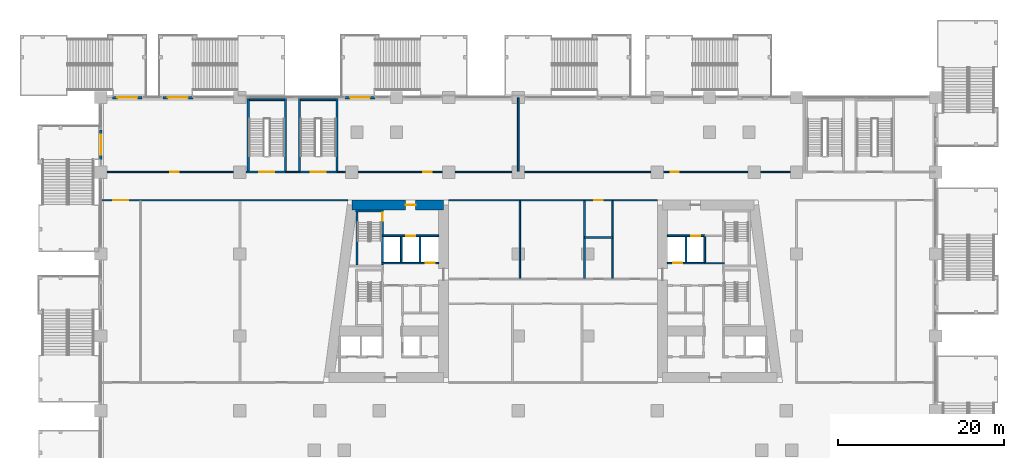
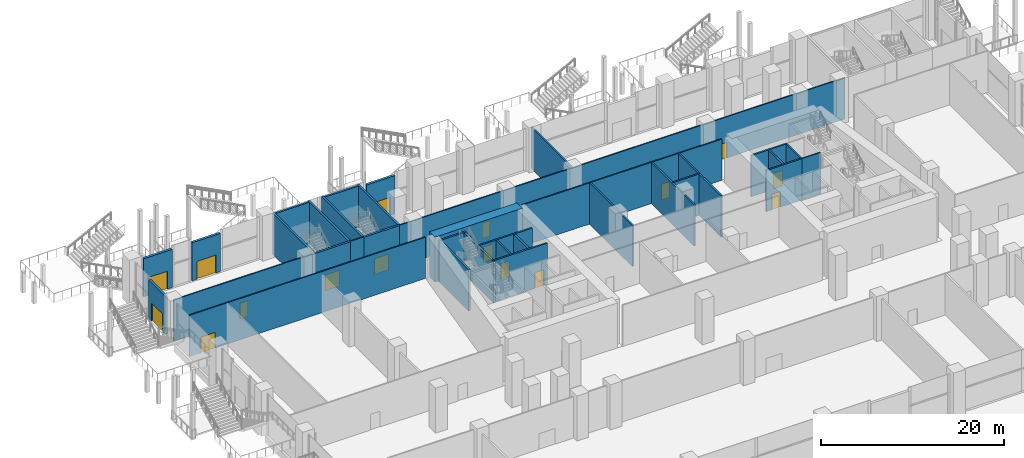
# One storey, part 25 of 47: 35 walls, 17 doors, 17 openings.
"""IFC4 building model written with IfcOpenShell, lengths in metres."""

from ifc_helpers import new_model, si_unit, direction, frame, frame_2d, origin, place, context, subcontext, project, spatial, rectangle, extrude, material, layer, layer_set, type_object, element, fill, save


model = new_model("IFC4")

# Units and contexts
model_context = context("Model", 3, precision=1e-05, world=origin(), true_north=direction((0.0, 1.0)))
body_context = subcontext(model_context, "Body", "Model", "MODEL_VIEW")
ifc_project = project(units=[si_unit("LENGTHUNIT", "METRE"), si_unit("AREAUNIT", "SQUARE_METRE"), si_unit("VOLUMEUNIT", "CUBIC_METRE"), si_unit("PLANEANGLEUNIT", "RADIAN"), si_unit("MASSUNIT", "GRAM", prefix="KILO")], contexts=[model_context])

# Site, building, storey
site_placement = place(None, origin())
site = spatial("IfcSite", under=ifc_project, at=site_placement, CompositionType="ELEMENT")
building_placement = place(site_placement, origin())
building = spatial("IfcBuilding", under=site, at=building_placement, Name="Candeia Pilgrim Tower and Theatre", CompositionType="ELEMENT")
storey_placement = place(building_placement, frame((0.0, 0.0, 23.0)))
storey = spatial("IfcBuildingStorey", under=building, at=storey_placement, Name="L03", CompositionType="ELEMENT", Elevation=23.0)

# Wall, opening, door
ifc_material_1 = material(Name="Concrete C80/95", Category="concrete")
ifc_layer_1 = layer(ifc_material_1, 1.199951171875)
ifc_layer_set_1 = layer_set([ifc_layer_1], Name="Core wall 1200 C80/95")
wall_type_1 = type_object("IfcWallType", Name="Core wall 1200 C80/95", PredefinedType="SHEAR", material=ifc_layer_set_1)
wall_1_placement = place(storey_placement, frame((89.155517578125, 131.800048828125, 0.0), z_axis=(0.0, 0.0, 1.0), x_axis=(1.0, 0.0, 0.0)))
wall_1 = element("IfcWall", 1, at=wall_1_placement, inside=storey, type_object=wall_type_1, Name="Core wall W1", PredefinedType="SHEAR", context=body_context, shape_type="SweptSolid", body=[
    extrude(rectangle(XDim=11.04443359375, YDim=1.199951171875, at=frame_2d((5.522216796875, 0.0))), origin(), (0.0, 0.0, 1.0), 6.0),
])
opening_1_placement = place(wall_1_placement, frame((6.4580078125, 0.0, 0.0)))
opening_1 = element("IfcOpeningElement", 2, at=opening_1_placement, cuts=wall_1, Name="Opening L03-D047", PredefinedType="OPENING", context=body_context, shape_type="SweptSolid", body=[
    extrude(rectangle(XDim=1.199951171875, YDim=2.10009765625, at=frame_2d((0.60009765625, 1.050048828125))), frame((0.0, 0.60986328125, 0.0), z_axis=(0.0, -1.0, 0.0), x_axis=(1.0, 0.0, 0.0)), (0.0, 0.0, 1.0), 1.219970703125),
])
ifc_material_2 = material(Name="Steel fire door set", Category="steel")
door_type_1 = type_object("IfcDoorType", Name="D-1200-FD60", OperationType="NOTDEFINED", PredefinedType="DOOR", material=ifc_material_2)
door_1_placement = place(opening_1_placement, origin())
door_1 = element("IfcDoor", 3, at=door_1_placement, inside=storey, type_object=door_type_1, Name="Door L03-D047", OperationType="SINGLE_SWING_RIGHT", OverallHeight=2.10009765625, OverallWidth=1.199951171875, PredefinedType="DOOR", context=body_context, shape_type="SweptSolid", body=[
    extrude(rectangle(XDim=1.199951171875, YDim=2.10009765625, at=frame_2d((0.60009765625, 1.050048828125))), frame((0.0, 0.02490234375, 0.0), z_axis=(0.0, -1.0, 0.0), x_axis=(1.0, 0.0, 0.0)), (0.0, 0.0, 1.0), 0.050048828125),
])
fill(opening_1, door_1)

ifc_material_3 = material(Name="Ceramic block masonry", Category="masonry")
ifc_layer_2 = layer(ifc_material_3, 0.300048828125)
ifc_layer_set_2 = layer_set([ifc_layer_2], Name="EW2 entrance infill wall 300")
wall_type_2 = type_object("IfcWallType", Name="EW2 entrance infill wall 300", PredefinedType="SOLIDWALL", material=ifc_layer_set_2)
wall_2_placement = place(storey_placement, frame((58.800048828125, 137.300048828125, 0.0), z_axis=(0.0, 0.0, 1.0), x_axis=(0.0, 1.0, 0.0)))
wall_2 = element("IfcWall", 4, at=wall_2_placement, inside=storey, type_object=wall_type_2, Name="Entrance wall L03", PredefinedType="SOLIDWALL", context=body_context, shape_type="SweptSolid", body=[
    extrude(rectangle(XDim=3.599853515625, YDim=0.300048828125, at=frame_2d((1.7998046875, 0.0))), origin(), (0.0, 0.0, 1.0), 5.10009765625),
])
opening_2_placement = place(wall_2_placement, frame((0.60009765625, 0.0, 0.0)))
opening_2 = element("IfcOpeningElement", 5, at=opening_2_placement, cuts=wall_2, Name="Opening L03-ED062", PredefinedType="OPENING", context=body_context, shape_type="SweptSolid", body=[
    extrude(rectangle(XDim=2.39990234375, YDim=2.39990234375, at=frame_2d((1.199951171875, 1.199951171875))), frame((0.0, 0.16015625, 0.0), z_axis=(0.0, -1.0, 0.0), x_axis=(1.0, 0.0, 0.0)), (0.0, 0.0, 1.0), 0.320068359375),
])
ifc_material_4 = material(Name="Aluminium framed glazed door", Category="aluminium")
door_type_2 = type_object("IfcDoorType", Name="ED entrance double door 2400x2400", OperationType="DOUBLE_DOOR_DOUBLE_SWING", PredefinedType="DOOR", material=ifc_material_4)
door_2_placement = place(opening_2_placement, origin())
door_2 = element("IfcDoor", 6, at=door_2_placement, inside=storey, type_object=door_type_2, Name="Entrance door L03-ED062", OperationType="DOUBLE_DOOR_DOUBLE_SWING", OverallHeight=2.39990234375, OverallWidth=2.39990234375, PredefinedType="DOOR", context=body_context, shape_type="SweptSolid", body=[
    extrude(rectangle(XDim=2.39990234375, YDim=2.39990234375, at=frame_2d((1.199951171875, 1.199951171875))), frame((0.0, 0.02490234375, 0.0), z_axis=(0.0, -1.0, 0.0), x_axis=(1.0, 0.0, 0.0)), (0.0, 0.0, 1.0), 0.050048828125),
])
fill(opening_2, door_2)

wall_3_placement = place(storey_placement, frame((60.199951171875, 144.800048828125, 0.0), z_axis=(0.0, 0.0, 1.0), x_axis=(1.0, 0.0, 0.0)))
wall_3 = element("IfcWall", 7, at=wall_3_placement, inside=storey, type_object=wall_type_2, Name="Entrance wall L03", PredefinedType="SOLIDWALL", context=body_context, shape_type="SweptSolid", body=[
    extrude(rectangle(XDim=3.60009765625, YDim=0.300048828125, at=frame_2d((1.800048828125, 0.0))), origin(), (0.0, 0.0, 1.0), 5.10009765625),
])
opening_3_placement = place(wall_3_placement, frame((0.60009765625, 0.0, 0.0)))
opening_3 = element("IfcOpeningElement", 8, at=opening_3_placement, cuts=wall_3, Name="Opening L03-ED063", PredefinedType="OPENING", context=body_context, shape_type="SweptSolid", body=[
    extrude(rectangle(XDim=2.39990234375, YDim=2.39990234375, at=frame_2d((1.199951171875, 1.199951171875))), frame((0.0, 0.16015625, 0.0), z_axis=(0.0, -1.0, 0.0), x_axis=(1.0, 0.0, 0.0)), (0.0, 0.0, 1.0), 0.320068359375),
])
door_3_placement = place(opening_3_placement, origin())
door_3 = element("IfcDoor", 9, at=door_3_placement, inside=storey, type_object=door_type_2, Name="Entrance door L03-ED063", OperationType="DOUBLE_DOOR_DOUBLE_SWING", OverallHeight=2.39990234375, OverallWidth=2.39990234375, PredefinedType="DOOR", context=body_context, shape_type="SweptSolid", body=[
    extrude(rectangle(XDim=2.39990234375, YDim=2.39990234375, at=frame_2d((1.199951171875, 1.199951171875))), frame((0.0, 0.02490234375, 0.0), z_axis=(0.0, -1.0, 0.0), x_axis=(1.0, 0.0, 0.0)), (0.0, 0.0, 1.0), 0.050048828125),
])
fill(opening_3, door_3)

wall_4_placement = place(storey_placement, frame((66.300048828125, 144.800048828125, 0.0), z_axis=(0.0, 0.0, 1.0), x_axis=(1.0, 0.0, 0.0)))
wall_4 = element("IfcWall", 10, at=wall_4_placement, inside=storey, type_object=wall_type_2, Name="Entrance wall L03", PredefinedType="SOLIDWALL", context=body_context, shape_type="SweptSolid", body=[
    extrude(rectangle(XDim=3.599853515625, YDim=0.300048828125, at=frame_2d((1.7998046875, 0.0))), origin(), (0.0, 0.0, 1.0), 5.10009765625),
])
opening_4_placement = place(wall_4_placement, frame((0.60009765625, 0.0, 0.0)))
opening_4 = element("IfcOpeningElement", 11, at=opening_4_placement, cuts=wall_4, Name="Opening L03-ED064", PredefinedType="OPENING", context=body_context, shape_type="SweptSolid", body=[
    extrude(rectangle(XDim=2.39990234375, YDim=2.39990234375, at=frame_2d((1.199951171875, 1.199951171875))), frame((0.0, 0.16015625, 0.0), z_axis=(0.0, -1.0, 0.0), x_axis=(1.0, 0.0, 0.0)), (0.0, 0.0, 1.0), 0.320068359375),
])
door_4_placement = place(opening_4_placement, origin())
door_4 = element("IfcDoor", 12, at=door_4_placement, inside=storey, type_object=door_type_2, Name="Entrance door L03-ED064", OperationType="DOUBLE_DOOR_DOUBLE_SWING", OverallHeight=2.39990234375, OverallWidth=2.39990234375, PredefinedType="DOOR", context=body_context, shape_type="SweptSolid", body=[
    extrude(rectangle(XDim=2.39990234375, YDim=2.39990234375, at=frame_2d((1.199951171875, 1.199951171875))), frame((0.0, 0.02490234375, 0.0), z_axis=(0.0, -1.0, 0.0), x_axis=(1.0, 0.0, 0.0)), (0.0, 0.0, 1.0), 0.050048828125),
])
fill(opening_4, door_4)

wall_5_placement = place(storey_placement, frame((88.300048828125, 144.800048828125, 0.0), z_axis=(0.0, 0.0, 1.0), x_axis=(1.0, 0.0, 0.0)))
wall_5 = element("IfcWall", 13, at=wall_5_placement, inside=storey, type_object=wall_type_2, Name="Entrance wall L03", PredefinedType="SOLIDWALL", context=body_context, shape_type="SweptSolid", body=[
    extrude(rectangle(XDim=3.599853515625, YDim=0.300048828125, at=frame_2d((1.7998046875, 0.0))), origin(), (0.0, 0.0, 1.0), 5.10009765625),
])
opening_5_placement = place(wall_5_placement, frame((0.60009765625, 0.0, 0.0)))
opening_5 = element("IfcOpeningElement", 14, at=opening_5_placement, cuts=wall_5, Name="Opening L03-ED065", PredefinedType="OPENING", context=body_context, shape_type="SweptSolid", body=[
    extrude(rectangle(XDim=2.39990234375, YDim=2.39990234375, at=frame_2d((1.199951171875, 1.199951171875))), frame((0.0, 0.16015625, 0.0), z_axis=(0.0, -1.0, 0.0), x_axis=(1.0, 0.0, 0.0)), (0.0, 0.0, 1.0), 0.320068359375),
])
door_5_placement = place(opening_5_placement, origin())
door_5 = element("IfcDoor", 15, at=door_5_placement, inside=storey, type_object=door_type_2, Name="Entrance door L03-ED065", OperationType="DOUBLE_DOOR_DOUBLE_SWING", OverallHeight=2.39990234375, OverallWidth=2.39990234375, PredefinedType="DOOR", context=body_context, shape_type="SweptSolid", body=[
    extrude(rectangle(XDim=2.39990234375, YDim=2.39990234375, at=frame_2d((1.199951171875, 1.199951171875))), frame((0.0, 0.02490234375, 0.0), z_axis=(0.0, -1.0, 0.0), x_axis=(1.0, 0.0, 0.0)), (0.0, 0.0, 1.0), 0.050048828125),
])
fill(opening_5, door_5)

# Wall
ifc_material_5 = material(Name="Gypsum board partition on steel studs", Category="steel")
ifc_layer_3 = layer(ifc_material_5, 0.14990234375)
ifc_layer_set_3 = layer_set([ifc_layer_3], Name="PW-150 lobby wall")
wall_type_3 = type_object("IfcWallType", Name="PW-150 lobby wall", PredefinedType="PARTITIONING", material=ifc_layer_set_3)
wall_6_placement = place(storey_placement, frame((131.71533203125, 124.800048828125, 0.0), z_axis=(0.0, 0.0, 1.0), x_axis=(1.0, 0.0, 0.0)))
element("IfcWall", 16, at=wall_6_placement, inside=storey, type_object=wall_type_3, Name="Lobby wall L03-025", PredefinedType="PARTITIONING", context=body_context, shape_type="SweptSolid", body=[
    extrude(rectangle(XDim=2.382568359375, YDim=0.14990234375, at=frame_2d((1.19140625, 0.0))), origin(), (0.0, 0.0, 1.0), 5.5),
])

# Wall, opening, door
ifc_layer_4 = layer(ifc_material_5, 0.14990234375)
ifc_layer_set_4 = layer_set([ifc_layer_4], Name="PW-150 unit wall")
wall_type_4 = type_object("IfcWallType", Name="PW-150 unit wall", PredefinedType="PARTITIONING", material=ifc_layer_set_4)
wall_7_placement = place(storey_placement, frame((58.85009765625, 132.39990234375, 0.0), z_axis=(0.0, 0.0, 1.0), x_axis=(1.0, 0.0, 0.0)))
wall_7 = element("IfcWall", 17, at=wall_7_placement, inside=storey, type_object=wall_type_4, Name="Unit wall L03-032", PredefinedType="PARTITIONING", context=body_context, shape_type="SweptSolid", body=[
    extrude(rectangle(XDim=29.781005859375, YDim=0.14990234375, at=frame_2d((14.890625, 0.0))), origin(), (0.0, 0.0, 1.0), 5.5),
])
opening_6_placement = place(wall_7_placement, frame((1.449951171875, 0.0, 0.0)))
opening_6 = element("IfcOpeningElement", 18, at=opening_6_placement, cuts=wall_7, Name="Opening L03-D027", PredefinedType="OPENING", context=body_context, shape_type="SweptSolid", body=[
    extrude(rectangle(XDim=1.800048828125, YDim=2.10009765625, at=frame_2d((0.89990234375, 1.050048828125))), frame((0.0, 0.0849609375, 0.0), z_axis=(0.0, -1.0, 0.0), x_axis=(1.0, 0.0, 0.0)), (0.0, 0.0, 1.0), 0.169921875),
])
door_type_3 = type_object("IfcDoorType", Name="D-1800-FD60", OperationType="NOTDEFINED", PredefinedType="DOOR", material=ifc_material_2)
door_6_placement = place(opening_6_placement, origin())
door_6 = element("IfcDoor", 19, at=door_6_placement, inside=storey, type_object=door_type_3, Name="Door L03-D027", OperationType="SINGLE_SWING_RIGHT", OverallHeight=2.10009765625, OverallWidth=1.800048828125, PredefinedType="DOOR", context=body_context, shape_type="SweptSolid", body=[
    extrude(rectangle(XDim=1.800048828125, YDim=2.10009765625, at=frame_2d((0.89990234375, 1.050048828125))), frame((0.0, 0.02490234375, 0.0), z_axis=(0.0, -1.0, 0.0), x_axis=(1.0, 0.0, 0.0)), (0.0, 0.0, 1.0), 0.050048828125),
])
fill(opening_6, door_6)

wall_8_placement = place(storey_placement, frame((100.800048828125, 132.39990234375, 0.0), z_axis=(0.0, 0.0, 1.0), x_axis=(1.0, 0.0, 0.0)))
wall_8 = element("IfcWall", 20, at=wall_8_placement, inside=storey, type_object=wall_type_4, Name="Unit wall L03-033", PredefinedType="PARTITIONING", context=body_context, shape_type="SweptSolid", body=[
    extrude(rectangle(XDim=25.199951171875, YDim=0.14990234375, at=frame_2d((12.60009765625, 0.0))), origin(), (0.0, 0.0, 1.0), 5.5),
])
opening_7_placement = place(wall_8_placement, frame((17.60009765625, 0.0, 0.0)))
opening_7 = element("IfcOpeningElement", 21, at=opening_7_placement, cuts=wall_8, Name="Opening L03-D018", PredefinedType="OPENING", context=body_context, shape_type="SweptSolid", body=[
    extrude(rectangle(XDim=1.0, YDim=2.10009765625, at=frame_2d((0.5, 1.050048828125))), frame((0.0, 0.0849609375, 0.0), z_axis=(0.0, -1.0, 0.0), x_axis=(1.0, 0.0, 0.0)), (0.0, 0.0, 1.0), 0.169921875),
])
door_type_4 = type_object("IfcDoorType", Name="D-1000-FD30S", OperationType="NOTDEFINED", PredefinedType="DOOR", material=ifc_material_2)
door_7_placement = place(opening_7_placement, origin())
door_7 = element("IfcDoor", 22, at=door_7_placement, inside=storey, type_object=door_type_4, Name="Door L03-D018", OperationType="SINGLE_SWING_LEFT", OverallHeight=2.10009765625, OverallWidth=1.0, PredefinedType="DOOR", context=body_context, shape_type="SweptSolid", body=[
    extrude(rectangle(XDim=1.0, YDim=2.10009765625, at=frame_2d((0.5, 1.050048828125))), frame((0.0, 0.02490234375, 0.0), z_axis=(0.0, -1.0, 0.0), x_axis=(1.0, 0.0, 0.0)), (0.0, 0.0, 1.0), 0.050048828125),
])
fill(opening_7, door_7)

wall_9_placement = place(storey_placement, frame((58.85009765625, 135.800048828125, 0.0), z_axis=(0.0, 0.0, 1.0), x_axis=(1.0, 0.0, 0.0)))
wall_9 = element("IfcWall", 23, at=wall_9_placement, inside=storey, type_object=wall_type_4, Name="Unit wall L03-039", PredefinedType="PARTITIONING", context=body_context, shape_type="SweptSolid", body=[
    extrude(rectangle(XDim=17.469970703125, YDim=0.14990234375, at=frame_2d((8.73486328125, 0.0))), origin(), (0.0, 0.0, 1.0), 5.5),
])
opening_8_placement = place(wall_9_placement, frame((8.35009765625, 0.0, 0.0)))
opening_8 = element("IfcOpeningElement", 24, at=opening_8_placement, cuts=wall_9, Name="Opening L03-D023", PredefinedType="OPENING", context=body_context, shape_type="SweptSolid", body=[
    extrude(rectangle(XDim=1.0, YDim=2.10009765625, at=frame_2d((0.5, 1.050048828125))), frame((0.0, 0.0849609375, 0.0), z_axis=(0.0, -1.0, 0.0), x_axis=(1.0, 0.0, 0.0)), (0.0, 0.0, 1.0), 0.169921875),
])
door_8_placement = place(opening_8_placement, origin())
door_8 = element("IfcDoor", 25, at=door_8_placement, inside=storey, type_object=door_type_4, Name="Door L03-D023", OperationType="SINGLE_SWING_RIGHT", OverallHeight=2.10009765625, OverallWidth=1.0, PredefinedType="DOOR", context=body_context, shape_type="SweptSolid", body=[
    extrude(rectangle(XDim=1.0, YDim=2.10009765625, at=frame_2d((0.5, 1.050048828125))), frame((0.0, 0.02490234375, 0.0), z_axis=(0.0, -1.0, 0.0), x_axis=(1.0, 0.0, 0.0)), (0.0, 0.0, 1.0), 0.050048828125),
])
fill(opening_8, door_8)

# Wall
wall_10_placement = place(storey_placement, frame((81.10009765625, 135.800048828125, 0.0), z_axis=(0.0, 0.0, 1.0), x_axis=(1.0, 0.0, 0.0)))
element("IfcWall", 26, at=wall_10_placement, inside=storey, type_object=wall_type_4, Name="Unit wall L03-040", PredefinedType="PARTITIONING", context=body_context, shape_type="SweptSolid", body=[
    extrude(rectangle(XDim=1.699951171875, YDim=0.14990234375, at=frame_2d((0.85009765625, 0.0))), origin(), (0.0, 0.0, 1.0), 5.5),
])

# Wall, openings, doors
wall_11_placement = place(storey_placement, frame((87.300048828125, 135.800048828125, 0.0), z_axis=(0.0, 0.0, 1.0), x_axis=(1.0, 0.0, 0.0)))
wall_11 = element("IfcWall", 27, at=wall_11_placement, inside=storey, type_object=wall_type_4, Name="Unit wall L03-041", PredefinedType="PARTITIONING", context=body_context, shape_type="SweptSolid", body=[
    extrude(rectangle(XDim=56.219970703125, YDim=0.14990234375, at=frame_2d((28.10986328125, 0.0))), origin(), (0.0, 0.0, 1.0), 5.5),
])
opening_9_placement = place(wall_11_placement, frame((10.449951171875, 0.0, 0.0)))
opening_9 = element("IfcOpeningElement", 28, at=opening_9_placement, cuts=wall_11, Name="Opening L03-D024", PredefinedType="OPENING", context=body_context, shape_type="SweptSolid", body=[
    extrude(rectangle(XDim=1.0, YDim=2.10009765625, at=frame_2d((0.5, 1.050048828125))), frame((0.0, 0.0849609375, 0.0), z_axis=(0.0, -1.0, 0.0), x_axis=(1.0, 0.0, 0.0)), (0.0, 0.0, 1.0), 0.169921875),
])
opening_10_placement = place(wall_11_placement, frame((40.2900390625, 0.0, 0.0)))
opening_10 = element("IfcOpeningElement", 29, at=opening_10_placement, cuts=wall_11, Name="Opening L03-D025", PredefinedType="OPENING", context=body_context, shape_type="SweptSolid", body=[
    extrude(rectangle(XDim=1.0, YDim=2.10009765625, at=frame_2d((0.5, 1.050048828125))), frame((0.0, 0.0849609375, 0.0), z_axis=(0.0, -1.0, 0.0), x_axis=(1.0, 0.0, 0.0)), (0.0, 0.0, 1.0), 0.169921875),
])
door_9_placement = place(opening_9_placement, origin())
door_9 = element("IfcDoor", 30, at=door_9_placement, inside=storey, type_object=door_type_4, Name="Door L03-D024", OperationType="SINGLE_SWING_LEFT", OverallHeight=2.10009765625, OverallWidth=1.0, PredefinedType="DOOR", context=body_context, shape_type="SweptSolid", body=[
    extrude(rectangle(XDim=1.0, YDim=2.10009765625, at=frame_2d((0.5, 1.050048828125))), frame((0.0, 0.02490234375, 0.0), z_axis=(0.0, -1.0, 0.0), x_axis=(1.0, 0.0, 0.0)), (0.0, 0.0, 1.0), 0.050048828125),
])
fill(opening_9, door_9)
door_10_placement = place(opening_10_placement, origin())
door_10 = element("IfcDoor", 31, at=door_10_placement, inside=storey, type_object=door_type_4, Name="Door L03-D025", OperationType="SINGLE_SWING_RIGHT", OverallHeight=2.10009765625, OverallWidth=1.0, PredefinedType="DOOR", context=body_context, shape_type="SweptSolid", body=[
    extrude(rectangle(XDim=1.0, YDim=2.10009765625, at=frame_2d((0.5, 1.050048828125))), frame((0.0, 0.02490234375, 0.0), z_axis=(0.0, -1.0, 0.0), x_axis=(1.0, 0.0, 0.0)), (0.0, 0.0, 1.0), 0.050048828125),
])
fill(opening_10, door_10)

# Walls
ifc_layer_5 = layer(ifc_material_5, 0.199951171875)
ifc_layer_set_5 = layer_set([ifc_layer_5], Name="PW-200 party wall")
wall_type_5 = type_object("IfcWallType", Name="PW-200 party wall", PredefinedType="PARTITIONING", material=ifc_layer_set_5)
wall_12_placement = place(storey_placement, frame((117.199951171875, 127.89990234375, 0.0), z_axis=(0.0, 0.0, 1.0), x_axis=(1.0, 0.0, 0.0)))
element("IfcWall", 32, at=wall_12_placement, inside=storey, type_object=wall_type_5, Name="Party wall L03-026", PredefinedType="PARTITIONING", context=body_context, shape_type="SweptSolid", body=[
    extrude(rectangle(XDim=3.400146484375, YDim=0.199951171875, at=frame_2d((1.7001953125, 0.0))), origin(), (0.0, 0.0, 1.0), 5.5),
])
wall_13_placement = place(storey_placement, frame((109.199951171875, 135.875, 0.0), z_axis=(0.0, 0.0, 1.0), x_axis=(0.0, 1.0, 0.0)))
element("IfcWall", 33, at=wall_13_placement, inside=storey, type_object=wall_type_5, Name="Party wall L03-069", PredefinedType="PARTITIONING", context=body_context, shape_type="SweptSolid", body=[
    extrude(rectangle(XDim=8.875, YDim=0.199951171875, at=frame_2d((4.4375, 0.0))), origin(), (0.0, 0.0, 1.0), 5.5),
])
for number, where, z_axis, x_axis, name in (
    (34, (109.39990234375, 122.97509765625, 0.0), (0.0, 0.0, 1.0), (0.0, 1.0, 0.0), "Party wall L03-070"),
    (35, (117.199951171875, 122.97509765625, 0.0), (0.0, 0.0, 1.0), (0.0, 1.0, 0.0), "Party wall L03-072"),
    (36, (120.60009765625, 122.97509765625, 0.0), (0.0, 0.0, 1.0), (0.0, 1.0, 0.0), "Party wall L03-073"),
):
    element("IfcWall", number, at=place(storey_placement, frame(where, z_axis=z_axis, x_axis=x_axis)), inside=storey, type_object=wall_type_5, Name=name, PredefinedType="PARTITIONING", context=body_context, shape_type="SweptSolid", body=[
        extrude(rectangle(XDim=9.349853515625, YDim=0.199951171875, at=frame_2d((4.6748046875, 0.0))), origin(), (0.0, 0.0, 1.0), 5.5),
    ])

# Wall, opening, door
ifc_material_6 = material(Name="Concrete C40/50", Category="concrete")
ifc_layer_6 = layer(ifc_material_6, 0.199951171875)
ifc_layer_set_6 = layer_set([ifc_layer_6], Name="SW-200 shaft wall")
wall_type_6 = type_object("IfcWallType", Name="SW-200 shaft wall", PredefinedType="PARTITIONING", material=ifc_layer_set_6)
wall_14_placement = place(storey_placement, frame((92.701904296875, 124.800048828125, 0.0), z_axis=(0.0, 0.0, 1.0), x_axis=(1.0, 0.0, 0.0)))
wall_14 = element("IfcWall", 37, at=wall_14_placement, inside=storey, type_object=wall_type_6, Name="Shaft wall L03-023", PredefinedType="PARTITIONING", context=body_context, shape_type="SweptSolid", body=[
    extrude(rectangle(XDim=6.898193359375, YDim=0.199951171875, at=frame_2d((3.44921875, 0.0))), origin(), (0.0, 0.0, 1.0), 5.5),
])
opening_11_placement = place(wall_14_placement, frame((5.333984375, 0.0, 0.0)))
opening_11 = element("IfcOpeningElement", 38, at=opening_11_placement, cuts=wall_14, Name="Opening L03-LD02", PredefinedType="OPENING", context=body_context, shape_type="SweptSolid", body=[
    extrude(rectangle(XDim=1.10009765625, YDim=2.10009765625, at=frame_2d((0.550048828125, 1.050048828125))), frame((0.0, 0.10986328125, 0.0), z_axis=(0.0, -1.0, 0.0), x_axis=(1.0, 0.0, 0.0)), (0.0, 0.0, 1.0), 0.219970703125),
])
ifc_material_7 = material(Name="Glazed aluminium landing door", Category="aluminium")
door_type_5 = type_object("IfcDoorType", Name="LD-1100-EI120", OperationType="SLIDING_TO_LEFT", PredefinedType="DOOR", material=ifc_material_7)
door_11_placement = place(opening_11_placement, origin())
door_11 = element("IfcDoor", 39, at=door_11_placement, inside=storey, type_object=door_type_5, Name="Landing door 02 L03", OperationType="SLIDING_TO_LEFT", OverallHeight=2.10009765625, OverallWidth=1.10009765625, PredefinedType="DOOR", context=body_context, shape_type="SweptSolid", body=[
    extrude(rectangle(XDim=1.10009765625, YDim=2.10009765625, at=frame_2d((0.550048828125, 1.050048828125))), frame((0.0, 0.02490234375, 0.0), z_axis=(0.0, -1.0, 0.0), x_axis=(1.0, 0.0, 0.0)), (0.0, 0.0, 1.0), 0.050048828125),
])
fill(opening_11, door_11)

wall_15_placement = place(storey_placement, frame((127.199951171875, 124.800048828125, 0.0), z_axis=(0.0, 0.0, 1.0), x_axis=(1.0, 0.0, 0.0)))
wall_15 = element("IfcWall", 40, at=wall_15_placement, inside=storey, type_object=wall_type_6, Name="Shaft wall L03-024", PredefinedType="PARTITIONING", context=body_context, shape_type="SweptSolid", body=[
    extrude(rectangle(XDim=4.515380859375, YDim=0.199951171875, at=frame_2d((2.2578125, 0.0))), origin(), (0.0, 0.0, 1.0), 5.5),
])
opening_12_placement = place(wall_15_placement, frame((0.693115234375, 0.0, 0.0)))
opening_12 = element("IfcOpeningElement", 41, at=opening_12_placement, cuts=wall_15, Name="Opening L03-LD07", PredefinedType="OPENING", context=body_context, shape_type="SweptSolid", body=[
    extrude(rectangle(XDim=1.10009765625, YDim=2.10009765625, at=frame_2d((0.550048828125, 1.050048828125))), frame((0.0, 0.10986328125, 0.0), z_axis=(0.0, -1.0, 0.0), x_axis=(1.0, 0.0, 0.0)), (0.0, 0.0, 1.0), 0.219970703125),
])
door_12_placement = place(opening_12_placement, origin())
door_12 = element("IfcDoor", 42, at=door_12_placement, inside=storey, type_object=door_type_5, Name="Landing door 07 L03", OperationType="SLIDING_TO_LEFT", OverallHeight=2.10009765625, OverallWidth=1.10009765625, PredefinedType="DOOR", context=body_context, shape_type="SweptSolid", body=[
    extrude(rectangle(XDim=1.10009765625, YDim=2.10009765625, at=frame_2d((0.550048828125, 1.050048828125))), frame((0.0, 0.02490234375, 0.0), z_axis=(0.0, -1.0, 0.0), x_axis=(1.0, 0.0, 0.0)), (0.0, 0.0, 1.0), 0.050048828125),
])
fill(opening_12, door_12)

wall_16_placement = place(storey_placement, frame((92.826904296875, 128.10009765625, 0.0), z_axis=(0.0, 0.0, 1.0), x_axis=(1.0, 0.0, 0.0)))
wall_16 = element("IfcWall", 43, at=wall_16_placement, inside=storey, type_object=wall_type_6, Name="Shaft wall L03-027", PredefinedType="PARTITIONING", context=body_context, shape_type="SweptSolid", body=[
    extrude(rectangle(XDim=6.773193359375, YDim=0.199951171875, at=frame_2d((3.38671875, 0.0))), origin(), (0.0, 0.0, 1.0), 5.5),
])
opening_13_placement = place(wall_16_placement, frame((2.8359375, 0.0, 0.0)))
opening_13 = element("IfcOpeningElement", 44, at=opening_13_placement, cuts=wall_16, Name="Opening L03-LD01", PredefinedType="OPENING", context=body_context, shape_type="SweptSolid", body=[
    extrude(rectangle(XDim=1.10009765625, YDim=2.10009765625, at=frame_2d((0.550048828125, 1.050048828125))), frame((0.0, 0.10986328125, 0.0), z_axis=(0.0, -1.0, 0.0), x_axis=(1.0, 0.0, 0.0)), (0.0, 0.0, 1.0), 0.219970703125),
])
door_13_placement = place(opening_13_placement, origin())
door_13 = element("IfcDoor", 45, at=door_13_placement, inside=storey, type_object=door_type_5, Name="Landing door 01 L03", OperationType="SLIDING_TO_LEFT", OverallHeight=2.10009765625, OverallWidth=1.10009765625, PredefinedType="DOOR", context=body_context, shape_type="SweptSolid", body=[
    extrude(rectangle(XDim=1.10009765625, YDim=2.10009765625, at=frame_2d((0.550048828125, 1.050048828125))), frame((0.0, 0.02490234375, 0.0), z_axis=(0.0, -1.0, 0.0), x_axis=(1.0, 0.0, 0.0)), (0.0, 0.0, 1.0), 0.050048828125),
])
fill(opening_13, door_13)

wall_17_placement = place(storey_placement, frame((127.199951171875, 128.10009765625, 0.0), z_axis=(0.0, 0.0, 1.0), x_axis=(1.0, 0.0, 0.0)))
wall_17 = element("IfcWall", 46, at=wall_17_placement, inside=storey, type_object=wall_type_6, Name="Shaft wall L03-028", PredefinedType="PARTITIONING", context=body_context, shape_type="SweptSolid", body=[
    extrude(rectangle(XDim=4.515380859375, YDim=0.199951171875, at=frame_2d((2.2578125, 0.0))), origin(), (0.0, 0.0, 1.0), 5.5),
])
opening_14_placement = place(wall_17_placement, frame((2.882080078125, 0.0, 0.0)))
opening_14 = element("IfcOpeningElement", 47, at=opening_14_placement, cuts=wall_17, Name="Opening L03-LD06", PredefinedType="OPENING", context=body_context, shape_type="SweptSolid", body=[
    extrude(rectangle(XDim=1.10009765625, YDim=2.10009765625, at=frame_2d((0.550048828125, 1.050048828125))), frame((0.0, 0.10986328125, 0.0), z_axis=(0.0, -1.0, 0.0), x_axis=(1.0, 0.0, 0.0)), (0.0, 0.0, 1.0), 0.219970703125),
])
door_14_placement = place(opening_14_placement, origin())
door_14 = element("IfcDoor", 48, at=door_14_placement, inside=storey, type_object=door_type_5, Name="Landing door 06 L03", OperationType="SLIDING_TO_LEFT", OverallHeight=2.10009765625, OverallWidth=1.10009765625, PredefinedType="DOOR", context=body_context, shape_type="SweptSolid", body=[
    extrude(rectangle(XDim=1.10009765625, YDim=2.10009765625, at=frame_2d((0.550048828125, 1.050048828125))), frame((0.0, 0.02490234375, 0.0), z_axis=(0.0, -1.0, 0.0), x_axis=(1.0, 0.0, 0.0)), (0.0, 0.0, 1.0), 0.050048828125),
])
fill(opening_14, door_14)

# Walls
for number, where, z_axis, x_axis, name in (
    (49, (95.084716796875, 124.89990234375, 0.0), (0.0, 0.0, 1.0), (0.0, 1.0, 0.0), "Shaft wall L03-061"),
    (50, (97.34228515625, 124.89990234375, 0.0), (0.0, 0.0, 1.0), (0.0, 1.0, 0.0), "Shaft wall L03-065"),
    (51, (129.457763671875, 124.89990234375, 0.0), (0.0, 0.0, 1.0), (0.0, 1.0, 0.0), "Shaft wall L03-077"),
    (52, (131.71533203125, 124.89990234375, 0.0), (0.0, 0.0, 1.0), (0.0, 1.0, 0.0), "Shaft wall L03-081"),
):
    element("IfcWall", number, at=place(storey_placement, frame(where, z_axis=z_axis, x_axis=x_axis)), inside=storey, type_object=wall_type_6, Name=name, PredefinedType="PARTITIONING", context=body_context, shape_type="SweptSolid", body=[
        extrude(rectangle(XDim=3.10009765625, YDim=0.199951171875, at=frame_2d((1.550048828125, 0.0))), origin(), (0.0, 0.0, 1.0), 5.5),
    ])
ifc_layer_7 = layer(ifc_material_6, 0.25)
ifc_layer_set_7 = layer_set([ifc_layer_7], Name="SW-250 stair wall")
wall_type_7 = type_object("IfcWallType", Name="SW-250 stair wall", PredefinedType="PARTITIONING", material=ifc_layer_set_7)
wall_18_placement = place(storey_placement, frame((89.552001953125, 131.10107421875, 0.0), z_axis=(0.0, 0.0, 1.0), x_axis=(1.0, 0.0, 0.0)))
element("IfcWall", 53, at=wall_18_placement, inside=storey, type_object=wall_type_7, Name="Stair wall L03-030", PredefinedType="PARTITIONING", context=body_context, shape_type="SweptSolid", body=[
    extrude(rectangle(XDim=3.39990234375, YDim=0.25, at=frame_2d((1.699951171875, 0.0))), origin(), (0.0, 0.0, 1.0), 5.5),
])

# Wall, opening, door
wall_19_placement = place(storey_placement, frame((76.320068359375, 135.800048828125, 0.0), z_axis=(0.0, 0.0, 1.0), x_axis=(1.0, 0.0, 0.0)))
wall_19 = element("IfcWall", 54, at=wall_19_placement, inside=storey, type_object=wall_type_7, Name="Stair wall L03-035", PredefinedType="PARTITIONING", context=body_context, shape_type="SweptSolid", body=[
    extrude(rectangle(XDim=4.780029296875, YDim=0.25, at=frame_2d((2.39013671875, 0.0))), origin(), (0.0, 0.0, 1.0), 5.5),
])
opening_15_placement = place(wall_19_placement, frame((1.6298828125, 0.0, 0.0)))
opening_15 = element("IfcOpeningElement", 55, at=opening_15_placement, cuts=wall_19, Name="Opening L03-D019", PredefinedType="OPENING", context=body_context, shape_type="SweptSolid", body=[
    extrude(rectangle(XDim=1.800048828125, YDim=2.10009765625, at=frame_2d((0.89990234375, 1.050048828125))), frame((0.0, 0.135009765625, 0.0), z_axis=(0.0, -1.0, 0.0), x_axis=(1.0, 0.0, 0.0)), (0.0, 0.0, 1.0), 0.27001953125),
])
ifc_material_8 = material(Name="Steel exit door", Category="steel")
door_type_6 = type_object("IfcDoorType", Name="DX-1800-FD60", OperationType="NOTDEFINED", PredefinedType="DOOR", material=ifc_material_8)
door_15_placement = place(opening_15_placement, origin())
door_15 = element("IfcDoor", 56, at=door_15_placement, inside=storey, type_object=door_type_6, Name="Door L03-D019", OperationType="SINGLE_SWING_RIGHT", OverallHeight=2.10009765625, OverallWidth=1.800048828125, PredefinedType="DOOR", context=body_context, shape_type="SweptSolid", body=[
    extrude(rectangle(XDim=1.800048828125, YDim=2.10009765625, at=frame_2d((0.89990234375, 1.050048828125))), frame((0.0, 0.02490234375, 0.0), z_axis=(0.0, -1.0, 0.0), x_axis=(1.0, 0.0, 0.0)), (0.0, 0.0, 1.0), 0.050048828125),
])
fill(opening_15, door_15)

wall_20_placement = place(storey_placement, frame((82.800048828125, 135.800048828125, 0.0), z_axis=(0.0, 0.0, 1.0), x_axis=(1.0, 0.0, 0.0)))
wall_20 = element("IfcWall", 57, at=wall_20_placement, inside=storey, type_object=wall_type_7, Name="Stair wall L03-036", PredefinedType="PARTITIONING", context=body_context, shape_type="SweptSolid", body=[
    extrude(rectangle(XDim=4.5, YDim=0.25, at=frame_2d((2.25, 0.0))), origin(), (0.0, 0.0, 1.0), 5.5),
])
opening_16_placement = place(wall_20_placement, frame((1.35009765625, 0.0, 0.0)))
opening_16 = element("IfcOpeningElement", 58, at=opening_16_placement, cuts=wall_20, Name="Opening L03-D020", PredefinedType="OPENING", context=body_context, shape_type="SweptSolid", body=[
    extrude(rectangle(XDim=1.800048828125, YDim=2.10009765625, at=frame_2d((0.89990234375, 1.050048828125))), frame((0.0, 0.135009765625, 0.0), z_axis=(0.0, -1.0, 0.0), x_axis=(1.0, 0.0, 0.0)), (0.0, 0.0, 1.0), 0.27001953125),
])
door_16_placement = place(opening_16_placement, origin())
door_16 = element("IfcDoor", 59, at=door_16_placement, inside=storey, type_object=door_type_6, Name="Door L03-D020", OperationType="SINGLE_SWING_LEFT", OverallHeight=2.10009765625, OverallWidth=1.800048828125, PredefinedType="DOOR", context=body_context, shape_type="SweptSolid", body=[
    extrude(rectangle(XDim=1.800048828125, YDim=2.10009765625, at=frame_2d((0.89990234375, 1.050048828125))), frame((0.0, 0.02490234375, 0.0), z_axis=(0.0, -1.0, 0.0), x_axis=(1.0, 0.0, 0.0)), (0.0, 0.0, 1.0), 0.050048828125),
])
fill(opening_16, door_16)

# Walls
for number, where, z_axis, x_axis, name in (
    (60, (76.60009765625, 135.925048828125, 0.0), (0.0, 0.0, 1.0), (0.0, 1.0, 0.0), "Stair wall L03-047"),
    (61, (81.10009765625, 135.925048828125, 0.0), (0.0, 0.0, 1.0), (0.0, 1.0, 0.0), "Stair wall L03-048"),
    (62, (82.800048828125, 135.925048828125, 0.0), (0.0, 0.0, 1.0), (0.0, 1.0, 0.0), "Stair wall L03-049"),
    (63, (87.300048828125, 135.925048828125, 0.0), (0.0, 0.0, 1.0), (0.0, 1.0, 0.0), "Stair wall L03-050"),
):
    element("IfcWall", number, at=place(storey_placement, frame(where, z_axis=z_axis, x_axis=x_axis)), inside=storey, type_object=wall_type_7, Name=name, PredefinedType="PARTITIONING", context=body_context, shape_type="SweptSolid", body=[
        extrude(rectangle(XDim=8.824951171875, YDim=0.25, at=frame_2d((4.41259765625, 0.0))), origin(), (0.0, 0.0, 1.0), 5.5),
    ])
wall_21_placement = place(storey_placement, frame((89.707275390625, 124.574951171875, 0.0), z_axis=(0.0, 0.0, 1.0), x_axis=(0.0, 1.0, 0.0)))
element("IfcWall", 64, at=wall_21_placement, inside=storey, type_object=wall_type_7, Name="Stair wall L03-054", PredefinedType="PARTITIONING", context=body_context, shape_type="SweptSolid", body=[
    extrude(rectangle(XDim=6.5, YDim=0.25, at=frame_2d((3.25, 0.0))), origin(), (0.0, 0.0, 1.0), 5.5),
])

# Wall, opening, door
wall_22_placement = place(storey_placement, frame((92.826904296875, 124.574951171875, 0.0), z_axis=(0.0, 0.0, 1.0), x_axis=(0.0, 1.0, 0.0)))
wall_22 = element("IfcWall", 65, at=wall_22_placement, inside=storey, type_object=wall_type_7, Name="Stair wall L03-060", PredefinedType="PARTITIONING", context=body_context, shape_type="SweptSolid", body=[
    extrude(rectangle(XDim=6.655029296875, YDim=0.25, at=frame_2d((3.32763671875, 0.0))), origin(), (0.0, 0.0, 1.0), 5.5),
])
opening_17_placement = place(wall_22_placement, frame((5.324951171875, 0.0, 0.0)))
opening_17 = element("IfcOpeningElement", 66, at=opening_17_placement, cuts=wall_22, Name="Opening L03-D034", PredefinedType="OPENING", context=body_context, shape_type="SweptSolid", body=[
    extrude(rectangle(XDim=1.0, YDim=2.10009765625, at=frame_2d((0.5, 1.050048828125))), frame((0.0, 0.135009765625, 0.0), z_axis=(0.0, -1.0, 0.0), x_axis=(1.0, 0.0, 0.0)), (0.0, 0.0, 1.0), 0.27001953125),
])
door_type_7 = type_object("IfcDoorType", Name="D-1000-FD60", OperationType="NOTDEFINED", PredefinedType="DOOR", material=ifc_material_2)
door_17_placement = place(opening_17_placement, origin())
door_17 = element("IfcDoor", 67, at=door_17_placement, inside=storey, type_object=door_type_7, Name="Door L03-D034", OperationType="SINGLE_SWING_LEFT", OverallHeight=2.10009765625, OverallWidth=1.0, PredefinedType="DOOR", context=body_context, shape_type="SweptSolid", body=[
    extrude(rectangle(XDim=1.0, YDim=2.10009765625, at=frame_2d((0.5, 1.050048828125))), frame((0.0, 0.02490234375, 0.0), z_axis=(0.0, -1.0, 0.0), x_axis=(1.0, 0.0, 0.0)), (0.0, 0.0, 1.0), 0.050048828125),
])
fill(opening_17, door_17)

# Walls
for number, where, z_axis, x_axis, name in (
    (68, (76.72509765625, 144.53759765625, 0.0), (0.0, 0.0, 1.0), (1.0, 0.0, 0.0), "Stair back wall PS1 L03"),
    (69, (82.925048828125, 144.53759765625, 0.0), (0.0, 0.0, 1.0), (1.0, 0.0, 0.0), "Stair back wall PS2 L03"),
):
    element("IfcWall", number, at=place(storey_placement, frame(where, z_axis=z_axis, x_axis=x_axis)), inside=storey, type_object=wall_type_7, Name=name, PredefinedType="PARTITIONING", context=body_context, shape_type="SweptSolid", body=[
        extrude(rectangle(XDim=4.25, YDim=0.22509765625, at=frame_2d((2.125, 0.0))), origin(), (0.0, 0.0, 1.0), 5.5),
    ])

save(model, "model.ifc")
